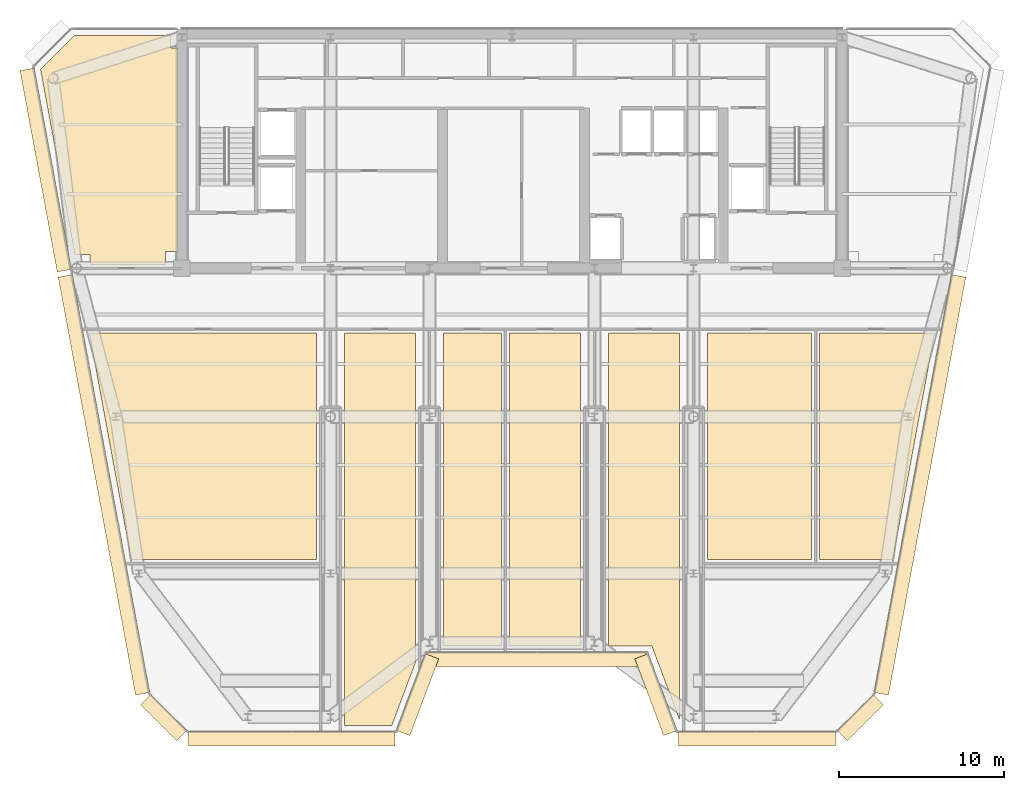
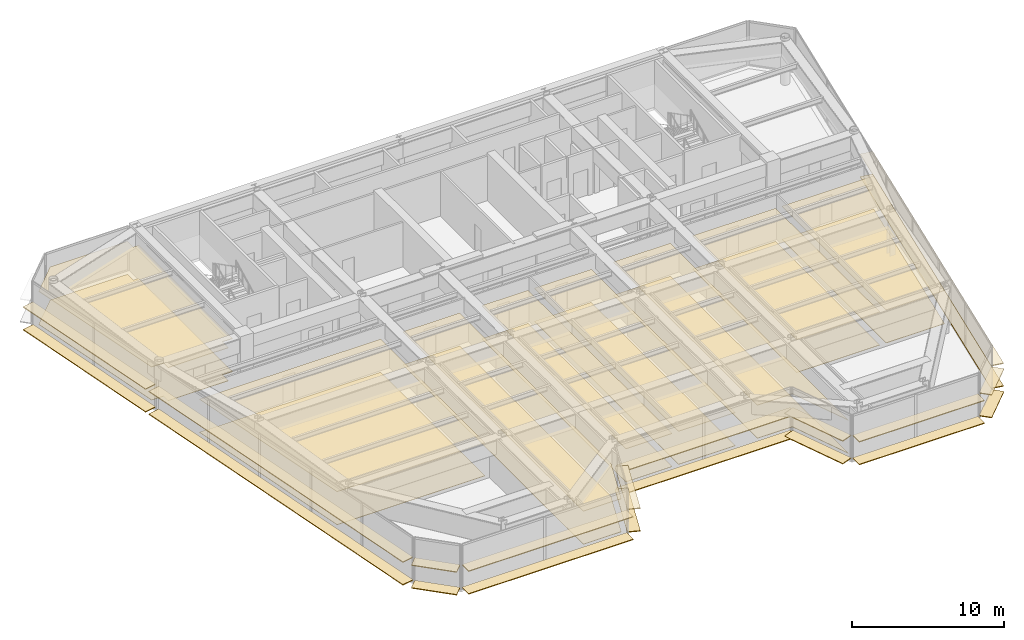
# One storey, part 14 of 17: 36 coverings.
"""IFC4 building model written with IfcOpenShell, lengths in metres."""

from ifc_helpers import new_model, si_unit, direction, frame, origin, origin_2d, place, context, subcontext, project, spatial, polyline, rectangle, outline, extrude, source, transform, mapped, material, layer, layer_set, type_object, element, save


model = new_model("IFC4")

# Units and contexts
model_context = context("Model", 3, precision=1e-05, world=origin(), true_north=direction((0.0, 1.0)))
body_context = subcontext(model_context, "Body", "Model", "MODEL_VIEW")
ifc_project = project(units=[si_unit("LENGTHUNIT", "METRE"), si_unit("AREAUNIT", "SQUARE_METRE"), si_unit("VOLUMEUNIT", "CUBIC_METRE"), si_unit("PLANEANGLEUNIT", "RADIAN"), si_unit("MASSUNIT", "GRAM", prefix="KILO")], contexts=[model_context])

# Site, building, storey
site_placement = place(None, origin())
site = spatial("IfcSite", under=ifc_project, at=site_placement, CompositionType="ELEMENT")
building_placement = place(site_placement, origin())
building = spatial("IfcBuilding", under=site, at=building_placement, Name="Vaeldorn Concourse Tower", CompositionType="ELEMENT")
storey_placement = place(building_placement, frame((0.0, 0.0, 234.60009765625)))
storey = spatial("IfcBuildingStorey", under=building, at=storey_placement, Name="L60", CompositionType="ELEMENT", Elevation=234.60009765625)

# Coverings
ifc_material_1 = material(Name="Acoustic Mineral Fibre Board", Category="gypsum")
ifc_layer_1 = layer(ifc_material_1, 0.0400390625)
ifc_layer_set_1 = layer_set([ifc_layer_1], Name="Acoustic Mineral Fibre Board")
covering_type_1 = type_object("IfcCoveringType", Name="COV-CEIL-ACOUSTIC", PredefinedType="CEILING", material=ifc_layer_set_1)
covering_1_placement = place(storey_placement, frame((0.0, 0.0, 2.64990234375)))
element("IfcCovering", 1, at=covering_1_placement, inside=storey, type_object=covering_type_1, Name="Suspended Acoustic Ceiling L60-4", PredefinedType="CEILING", context=body_context, shape_type="SweptSolid", body=[
    extrude(outline(polyline([(13.340087890625, 50.60009765625), (13.340087890625, 49.840087890625), (13.760009765625, 49.840087890625), (13.760009765625, 37.5), (13.0, 37.5), (13.0, 36.719970703125), (8.419921875, 36.719970703125), (8.419921875, 37.320068359375), (7.51171875, 37.320068359375), (5.431640625, 48.56591796875), (7.4658203125, 50.60009765625), (13.340087890625, 50.60009765625)])), origin(), (0.0, 0.0, 1.0), 0.0400390625),
])
covering_2_placement = place(storey_placement, frame((0.0, 0.0, 2.64990234375)))
element("IfcCovering", 2, at=covering_2_placement, inside=storey, type_object=covering_type_1, Name="Suspended Acoustic Ceiling L60-6", PredefinedType="CEILING", context=body_context, shape_type="SweptSolid", body=[
    extrude(outline(polyline([(22.159912109375, 32.56005859375), (22.159912109375, 18.840087890625), (10.93017578125, 18.840087890625), (8.39208984375, 32.56005859375), (22.159912109375, 32.56005859375)])), origin(), (0.0, 0.0, 1.0), 0.0400390625),
])
covering_3_placement = place(storey_placement, frame((0.0, 0.0, 2.64990234375)))
element("IfcCovering", 3, at=covering_3_placement, inside=storey, type_object=covering_type_1, Name="Suspended Acoustic Ceiling L60-7", PredefinedType="CEILING", context=body_context, shape_type="SweptSolid", body=[
    extrude(outline(polyline([(23.840087890625, 8.800048828125), (23.840087890625, 32.56005859375), (28.159912109375, 32.56005859375), (28.159912109375, 12.632568359375), (26.722900390625, 8.800048828125), (23.840087890625, 8.800048828125)])), origin(), (0.0, 0.0, 1.0), 0.0400390625),
])
covering_4_placement = place(storey_placement, frame((0.0, 0.0, 2.64990234375)))
element("IfcCovering", 4, at=covering_4_placement, inside=storey, type_object=covering_type_1, Name="Suspended Acoustic Ceiling L60-8", PredefinedType="CEILING", context=body_context, shape_type="SweptSolid", body=[
    extrude(outline(polyline([(29.840087890625, 32.56005859375), (33.360107421875, 32.56005859375), (33.360107421875, 13.60009765625), (29.840087890625, 13.60009765625), (29.840087890625, 32.56005859375)])), origin(), (0.0, 0.0, 1.0), 0.0400390625),
])
covering_5_placement = place(storey_placement, frame((0.0, 0.0, 2.64990234375)))
element("IfcCovering", 5, at=covering_5_placement, inside=storey, type_object=covering_type_1, Name="Suspended Acoustic Ceiling L60-9", PredefinedType="CEILING", context=body_context, shape_type="SweptSolid", body=[
    extrude(outline(polyline([(33.840087890625, 32.56005859375), (38.159912109375, 32.56005859375), (38.159912109375, 13.60009765625), (33.840087890625, 13.60009765625), (33.840087890625, 32.56005859375)])), origin(), (0.0, 0.0, 1.0), 0.0400390625),
])
covering_6_placement = place(storey_placement, frame((0.0, 0.0, 2.64990234375)))
element("IfcCovering", 6, at=covering_6_placement, inside=storey, type_object=covering_type_1, Name="Suspended Acoustic Ceiling L60-10", PredefinedType="CEILING", context=body_context, shape_type="SweptSolid", body=[
    extrude(outline(polyline([(39.840087890625, 13.60009765625), (39.840087890625, 32.56005859375), (44.159912109375, 32.56005859375), (44.159912109375, 9.112548828125), (42.477294921875, 13.60009765625), (39.840087890625, 13.60009765625)])), origin(), (0.0, 0.0, 1.0), 0.0400390625),
])
covering_7_placement = place(storey_placement, frame((0.0, 0.0, 2.64990234375)))
element("IfcCovering", 7, at=covering_7_placement, inside=storey, type_object=covering_type_1, Name="Suspended Acoustic Ceiling L60-11", PredefinedType="CEILING", context=body_context, shape_type="SweptSolid", body=[
    extrude(outline(polyline([(45.840087890625, 32.56005859375), (52.159912109375, 32.56005859375), (52.159912109375, 18.840087890625), (45.840087890625, 18.840087890625), (45.840087890625, 32.56005859375)])), origin(), (0.0, 0.0, 1.0), 0.0400390625),
])
covering_8_placement = place(storey_placement, frame((0.0, 0.0, 2.64990234375)))
element("IfcCovering", 8, at=covering_8_placement, inside=storey, type_object=covering_type_1, Name="Suspended Acoustic Ceiling L60-12", PredefinedType="CEILING", context=body_context, shape_type="SweptSolid", body=[
    extrude(outline(polyline([(52.639892578125, 18.840087890625), (52.639892578125, 32.56005859375), (59.60791015625, 32.56005859375), (57.06982421875, 18.840087890625), (52.639892578125, 18.840087890625)])), origin(), (0.0, 0.0, 1.0), 0.0400390625),
])
ifc_material_2 = material(Name="Honed Limestone Terrazzo Flooring", Category="masonry")
ifc_layer_2 = layer(ifc_material_2, 0.0400390625)
ifc_layer_set_2 = layer_set([ifc_layer_2], Name="Honed Limestone Terrazzo Flooring")
covering_type_2 = type_object("IfcCoveringType", Name="COV-FLOOR-STONE", PredefinedType="FLOORING", material=ifc_layer_set_2)
covering_9_placement = place(storey_placement, origin())
element("IfcCovering", 9, at=covering_9_placement, inside=storey, type_object=covering_type_2, Name="Floor Finish Covering L60-4", PredefinedType="FLOORING", context=body_context, shape_type="SweptSolid", body=[
    extrude(outline(polyline([(13.340087890625, 50.60009765625), (13.340087890625, 49.840087890625), (13.760009765625, 49.840087890625), (13.760009765625, 37.5), (13.0, 37.5), (13.0, 36.719970703125), (8.419921875, 36.719970703125), (8.419921875, 37.320068359375), (7.51171875, 37.320068359375), (5.431640625, 48.56591796875), (7.4658203125, 50.60009765625), (13.340087890625, 50.60009765625)])), origin(), (0.0, 0.0, 1.0), 0.02978515625),
])
covering_10_placement = place(storey_placement, origin())
element("IfcCovering", 10, at=covering_10_placement, inside=storey, type_object=covering_type_2, Name="Floor Finish Covering L60-6", PredefinedType="FLOORING", context=body_context, shape_type="SweptSolid", body=[
    extrude(outline(polyline([(22.159912109375, 32.56005859375), (22.159912109375, 18.840087890625), (10.93017578125, 18.840087890625), (8.39208984375, 32.56005859375), (22.159912109375, 32.56005859375)])), origin(), (0.0, 0.0, 1.0), 0.02978515625),
])
covering_11_placement = place(storey_placement, origin())
element("IfcCovering", 11, at=covering_11_placement, inside=storey, type_object=covering_type_2, Name="Floor Finish Covering L60-7", PredefinedType="FLOORING", context=body_context, shape_type="SweptSolid", body=[
    extrude(outline(polyline([(23.840087890625, 8.800048828125), (23.840087890625, 32.56005859375), (28.159912109375, 32.56005859375), (28.159912109375, 12.632568359375), (26.722900390625, 8.800048828125), (23.840087890625, 8.800048828125)])), origin(), (0.0, 0.0, 1.0), 0.02978515625),
])
covering_12_placement = place(storey_placement, origin())
element("IfcCovering", 12, at=covering_12_placement, inside=storey, type_object=covering_type_2, Name="Floor Finish Covering L60-8", PredefinedType="FLOORING", context=body_context, shape_type="SweptSolid", body=[
    extrude(outline(polyline([(29.840087890625, 32.56005859375), (33.360107421875, 32.56005859375), (33.360107421875, 13.60009765625), (29.840087890625, 13.60009765625), (29.840087890625, 32.56005859375)])), origin(), (0.0, 0.0, 1.0), 0.02978515625),
])
covering_13_placement = place(storey_placement, origin())
element("IfcCovering", 13, at=covering_13_placement, inside=storey, type_object=covering_type_2, Name="Floor Finish Covering L60-9", PredefinedType="FLOORING", context=body_context, shape_type="SweptSolid", body=[
    extrude(outline(polyline([(33.840087890625, 32.56005859375), (38.159912109375, 32.56005859375), (38.159912109375, 13.60009765625), (33.840087890625, 13.60009765625), (33.840087890625, 32.56005859375)])), origin(), (0.0, 0.0, 1.0), 0.02978515625),
])
covering_14_placement = place(storey_placement, origin())
element("IfcCovering", 14, at=covering_14_placement, inside=storey, type_object=covering_type_2, Name="Floor Finish Covering L60-10", PredefinedType="FLOORING", context=body_context, shape_type="SweptSolid", body=[
    extrude(outline(polyline([(39.840087890625, 13.60009765625), (39.840087890625, 32.56005859375), (44.159912109375, 32.56005859375), (44.159912109375, 9.112548828125), (42.477294921875, 13.60009765625), (39.840087890625, 13.60009765625)])), origin(), (0.0, 0.0, 1.0), 0.02978515625),
])
covering_15_placement = place(storey_placement, origin())
element("IfcCovering", 15, at=covering_15_placement, inside=storey, type_object=covering_type_2, Name="Floor Finish Covering L60-11", PredefinedType="FLOORING", context=body_context, shape_type="SweptSolid", body=[
    extrude(outline(polyline([(45.840087890625, 32.56005859375), (52.159912109375, 32.56005859375), (52.159912109375, 18.840087890625), (45.840087890625, 18.840087890625), (45.840087890625, 32.56005859375)])), origin(), (0.0, 0.0, 1.0), 0.02978515625),
])
covering_16_placement = place(storey_placement, origin())
element("IfcCovering", 16, at=covering_16_placement, inside=storey, type_object=covering_type_2, Name="Floor Finish Covering L60-12", PredefinedType="FLOORING", context=body_context, shape_type="SweptSolid", body=[
    extrude(outline(polyline([(52.639892578125, 18.840087890625), (52.639892578125, 32.56005859375), (59.60791015625, 32.56005859375), (57.06982421875, 18.840087890625), (52.639892578125, 18.840087890625)])), origin(), (0.0, 0.0, 1.0), 0.02978515625),
])
ifc_material_3 = material(Name="Anodised Bronze Aluminium", Category="aluminium")
ifc_layer_3 = layer(ifc_material_3, 0.06494140625)
ifc_layer_set_3 = layer_set([ifc_layer_3], Name="Anodised Bronze Aluminium")
covering_type_3 = type_object("IfcCoveringType", Name="SD-BRONZE-SUNSHADE", PredefinedType="USERDEFINED", material=ifc_layer_set_3)
shared_shape_1 = source(origin(), body_context, "Body", "SweptSolid", [
    extrude(rectangle(XDim=4.96630859375, YDim=0.8798828125, at=origin_2d()), origin(), (0.0, 0.0, 1.0), 0.06494140625),
])
for number, where, z_axis, x_axis, name in (
    (17, (28.2744140625, 10.65966796875, 0.04736328125), (0.0, 0.0, 1.0), (0.351122702609, 0.936329454686, 0.0), "Horizontal Bronze Sunshade L60-E02.1.1"),
    (18, (28.2744140625, 10.65966796875, 1.867431640625), (0.0, 0.0, 1.0), (0.351122702609, 0.936329454686, 0.0), "Horizontal Bronze Sunshade L60-E02.1.2"),
    (19, (42.7255859375, 10.65966796875, 0.04736328125), (0.0, 0.0, 1.0), (0.351122702609, -0.936329454686, 0.0), "Horizontal Bronze Sunshade L60-E04.1.1"),
    (20, (42.7255859375, 10.65966796875, 1.867431640625), (0.0, 0.0, 1.0), (0.351122702609, -0.936329454686, 0.0), "Horizontal Bronze Sunshade L60-E04.1.2"),
):
    element("IfcCovering", number, at=place(storey_placement, frame(where, z_axis=z_axis, x_axis=x_axis)), inside=storey, type_object=covering_type_3, Name=name, ObjectType="SUNSHADE", PredefinedType="USERDEFINED", context=body_context, shape_type="MappedRepresentation", body=[
        mapped(shared_shape_1, transform((0.0, 0.0, 0.0), scale=1.0)),
    ])
shared_shape_2 = source(origin(), body_context, "Body", "SweptSolid", [
    extrude(rectangle(XDim=13.239990234375, YDim=0.8798828125, at=origin_2d()), origin(), (0.0, 0.0, 1.0), 0.06494140625),
])
for number, where, z_axis, x_axis, name in (
    (21, (35.5, 12.800048828125, 0.04736328125), (0.0, 0.0, 1.0), (1.0, 0.0, 0.0), "Horizontal Bronze Sunshade L60-E03.1.1"),
    (22, (35.5, 12.800048828125, 1.867431640625), (0.0, 0.0, 1.0), (1.0, 0.0, 0.0), "Horizontal Bronze Sunshade L60-E03.1.2"),
):
    element("IfcCovering", number, at=place(storey_placement, frame(where, z_axis=z_axis, x_axis=x_axis)), inside=storey, type_object=covering_type_3, Name=name, ObjectType="SUNSHADE", PredefinedType="USERDEFINED", context=body_context, shape_type="MappedRepresentation", body=[
        mapped(shared_shape_2, transform((0.0, 0.0, 0.0), scale=1.0)),
    ])
shared_shape_3 = source(origin(), body_context, "Body", "SweptSolid", [
    extrude(rectangle(XDim=3.0927734375, YDim=0.8798828125, at=origin_2d()), origin(), (0.0, 0.0, 1.0), 0.06494140625),
])
for number, where, z_axis, x_axis, name in (
    (23, (55.103759765625, 9.26708984375, 0.04736328125), (0.0, 0.0, 1.0), (0.707106781187, 0.707106781187, 0.0), "Horizontal Bronze Sunshade L60-E06.1.1"),
    (24, (55.103759765625, 9.26708984375, 1.867431640625), (0.0, 0.0, 1.0), (0.707106781187, 0.707106781187, 0.0), "Horizontal Bronze Sunshade L60-E06.1.2"),
    (25, (12.896240234375, 9.26708984375, 0.04736328125), (0.0, 0.0, 1.0), (0.707106781187, -0.707106781187, 0.0), "Horizontal Bronze Sunshade L60-E12.1.1"),
    (26, (12.896240234375, 9.26708984375, 1.867431640625), (0.0, 0.0, 1.0), (0.707106781187, -0.707106781187, 0.0), "Horizontal Bronze Sunshade L60-E12.1.2"),
):
    element("IfcCovering", number, at=place(storey_placement, frame(where, z_axis=z_axis, x_axis=x_axis)), inside=storey, type_object=covering_type_3, Name=name, ObjectType="SUNSHADE", PredefinedType="USERDEFINED", context=body_context, shape_type="MappedRepresentation", body=[
        mapped(shared_shape_3, transform((0.0, 0.0, 0.0), scale=1.0)),
    ])
shared_shape_4 = source(origin(), body_context, "Body", "SweptSolid", [
    extrude(rectangle(XDim=12.510986328125, YDim=0.8798828125, at=origin_2d()), origin(), (0.0, 0.0, 1.0), 0.06494140625),
])
for number, where, z_axis, x_axis, name in (
    (27, (20.66455078125, 8.0, 0.04736328125), (0.0, 0.0, 1.0), (1.0, 0.0, 0.0), "Horizontal Bronze Sunshade L60-E01.1.1"),
    (28, (20.66455078125, 8.0, 1.867431640625), (0.0, 0.0, 1.0), (1.0, 0.0, 0.0), "Horizontal Bronze Sunshade L60-E01.1.2"),
):
    element("IfcCovering", number, at=place(storey_placement, frame(where, z_axis=z_axis, x_axis=x_axis)), inside=storey, type_object=covering_type_3, Name=name, ObjectType="SUNSHADE", PredefinedType="USERDEFINED", context=body_context, shape_type="MappedRepresentation", body=[
        mapped(shared_shape_4, transform((0.0, 0.0, 0.0), scale=1.0)),
    ])
shared_shape_5 = source(origin(), body_context, "Body", "SweptSolid", [
    extrude(rectangle(XDim=9.510986328125, YDim=0.8798828125, at=origin_2d()), origin(), (0.0, 0.0, 1.0), 0.06494140625),
])
for number, where, z_axis, x_axis, name in (
    (29, (48.83544921875, 8.0, 0.04736328125), (0.0, 0.0, 1.0), (1.0, 0.0, 0.0), "Horizontal Bronze Sunshade L60-E05.1.1"),
    (30, (48.83544921875, 8.0, 1.867431640625), (0.0, 0.0, 1.0), (1.0, 0.0, 0.0), "Horizontal Bronze Sunshade L60-E05.1.2"),
):
    element("IfcCovering", number, at=place(storey_placement, frame(where, z_axis=z_axis, x_axis=x_axis)), inside=storey, type_object=covering_type_3, Name=name, ObjectType="SUNSHADE", PredefinedType="USERDEFINED", context=body_context, shape_type="MappedRepresentation", body=[
        mapped(shared_shape_5, transform((0.0, 0.0, 0.0), scale=1.0)),
    ])
shared_shape_6 = source(origin(), body_context, "Body", "SweptSolid", [
    extrude(rectangle(XDim=25.75732421875, YDim=0.8798828125, at=origin_2d()), origin(), (0.0, 0.0, 1.0), 0.06494140625),
])
for number, where, z_axis, x_axis, name in (
    (31, (58.721435546875, 23.36962890625, 0.04736328125), (0.0, 0.0, 1.0), (0.181892293686, 0.983318459858, 0.0), "Horizontal Bronze Sunshade L60-E07.1.1"),
    (32, (58.721435546875, 23.36962890625, 1.867431640625), (0.0, 0.0, 1.0), (0.181892293686, 0.983318459858, 0.0), "Horizontal Bronze Sunshade L60-E07.1.2"),
    (33, (9.278564453125, 23.36962890625, 0.04736328125), (0.0, 0.0, 1.0), (0.181892293686, -0.983318459858, 0.0), "Horizontal Bronze Sunshade L60-E11.2.1"),
    (34, (9.278564453125, 23.36962890625, 1.867431640625), (0.0, 0.0, 1.0), (0.181892293686, -0.983318459858, 0.0), "Horizontal Bronze Sunshade L60-E11.2.2"),
):
    element("IfcCovering", number, at=place(storey_placement, frame(where, z_axis=z_axis, x_axis=x_axis)), inside=storey, type_object=covering_type_3, Name=name, ObjectType="SUNSHADE", PredefinedType="USERDEFINED", context=body_context, shape_type="MappedRepresentation", body=[
        mapped(shared_shape_6, transform((0.0, 0.0, 0.0), scale=1.0)),
    ])
shared_shape_7 = source(origin(), body_context, "Body", "SweptSolid", [
    extrude(rectangle(XDim=12.402587890625, YDim=0.8798828125, at=origin_2d()), origin(), (0.0, 0.0, 1.0), 0.06494140625),
])
for number, where, z_axis, x_axis, name in (
    (35, (5.749267578125, 42.45068359375, 0.04736328125), (0.0, 0.0, 1.0), (0.181892293686, -0.983318459858, 0.0), "Horizontal Bronze Sunshade L60-E11.1.1"),
    (36, (5.749267578125, 42.45068359375, 1.867431640625), (0.0, 0.0, 1.0), (0.181892293686, -0.983318459858, 0.0), "Horizontal Bronze Sunshade L60-E11.1.2"),
):
    element("IfcCovering", number, at=place(storey_placement, frame(where, z_axis=z_axis, x_axis=x_axis)), inside=storey, type_object=covering_type_3, Name=name, ObjectType="SUNSHADE", PredefinedType="USERDEFINED", context=body_context, shape_type="MappedRepresentation", body=[
        mapped(shared_shape_7, transform((0.0, 0.0, 0.0), scale=1.0)),
    ])

save(model, "model.ifc")
